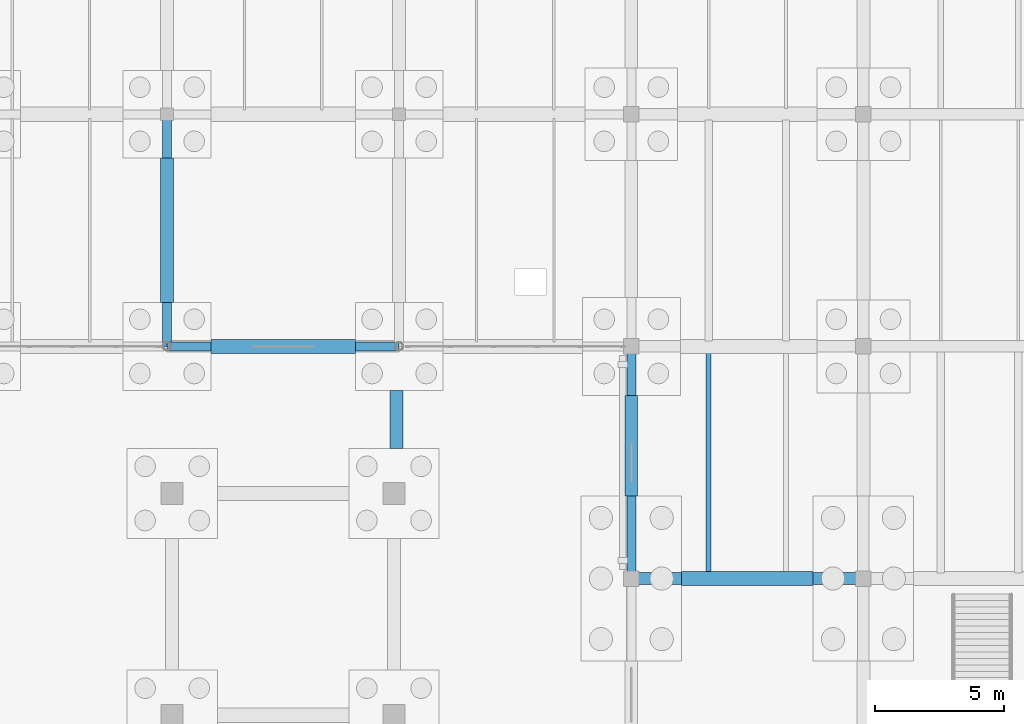
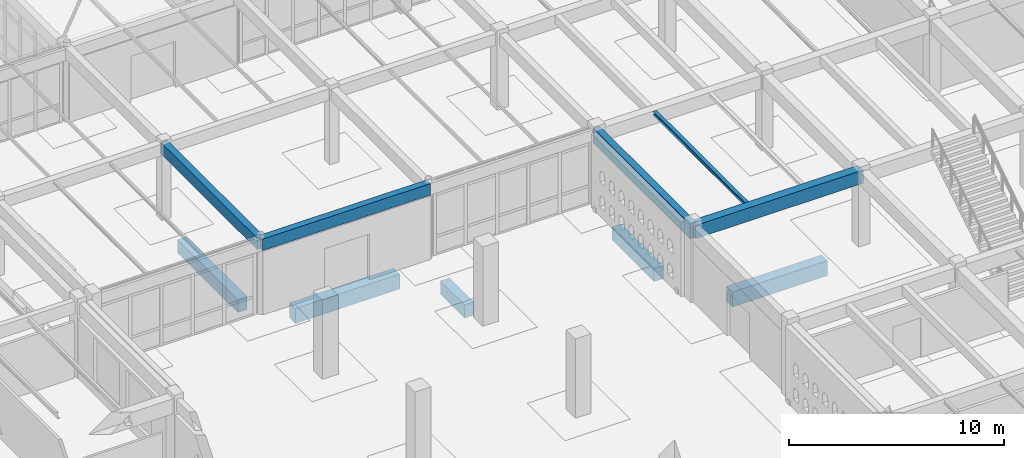
# One storey, part 124 of 186: 10 beams.
"""IFC4 building model written with IfcOpenShell, lengths in metres."""

from ifc_helpers import new_model, si_unit, direction, frame, origin, origin_2d, place, context, subcontext, project, spatial, rectangle, i_section, extrude, material, material_profile, profile_set, type_object, element, save


model = new_model("IFC4")

# Units and contexts
model_context = context("Model", 3, precision=1e-05, world=origin(), true_north=direction((0.0, 1.0)))
body_context = subcontext(model_context, "Body", "Model", "MODEL_VIEW")
ifc_project = project(units=[si_unit("LENGTHUNIT", "METRE"), si_unit("AREAUNIT", "SQUARE_METRE"), si_unit("VOLUMEUNIT", "CUBIC_METRE"), si_unit("PLANEANGLEUNIT", "RADIAN"), si_unit("MASSUNIT", "GRAM", prefix="KILO")], contexts=[model_context])

# Site, building, storey
site_placement = place(None, origin())
site = spatial("IfcSite", under=ifc_project, at=site_placement, CompositionType="ELEMENT")
building_placement = place(site_placement, origin())
building = spatial("IfcBuilding", under=site, at=building_placement, Name="Ornek Quay Market", CompositionType="ELEMENT")
storey_placement = place(building_placement, origin())
storey = spatial("IfcBuildingStorey", under=building, at=storey_placement, Name="L00", CompositionType="ELEMENT", Elevation=0.0)

# Beams
ifc_material_1 = material(Name="Concrete C35/45", Category="concrete")
ifc_material_profile_1 = material_profile(ifc_material_1, rectangle(XDim=0.35009765625, YDim=0.64990234375, at=origin_2d()), Name="RC 350x650", Category="concrete")
ifc_profile_set_1 = profile_set([ifc_material_profile_1], Name="Concrete C35/45")
beam_type_1 = type_object("IfcBeamType", Name="BM-CONC-350x650", PredefinedType="BEAM", material=ifc_profile_set_1)
for number, where, z_axis, x_axis, name in (
    (1, (135.0, 92.0, 3.945068359375), (1.0, 0.0, 0.0), (0.0, 1.0, 0.0), "Primary beam B-CN1-074"),
    (2, (135.0, 92.0, 3.945068359375), (0.0, 1.0, 0.0), (-1.0, 0.0, 0.0), "Primary beam B-CN1-081"),
):
    element("IfcBeam", number, at=place(storey_placement, frame(where, z_axis=z_axis, x_axis=x_axis)), inside=storey, type_object=beam_type_1, Name=name, PredefinedType="BEAM", context=body_context, shape_type="SweptSolid", body=[
        extrude(rectangle(XDim=0.35009765625, YDim=0.64990234375, at=origin_2d()), origin(), (0.0, 0.0, 1.0), 9.0),
    ])
ifc_material_2 = material(Name="Concrete C40/50", Category="concrete")
ifc_material_profile_2 = material_profile(ifc_material_2, rectangle(XDim=0.449951171875, YDim=0.75, at=origin_2d()), Name="RC 450x750", Category="concrete")
ifc_profile_set_2 = profile_set([ifc_material_profile_2], Name="Concrete C40/50")
beam_type_2 = type_object("IfcBeamType", Name="BM-FC-450x750", PredefinedType="BEAM", material=ifc_profile_set_2)
beam_1_placement = place(storey_placement, frame((153.0, 83.0, 3.85498046875), z_axis=(1.0, 0.0, 0.0), x_axis=(0.0, 1.0, 0.0)))
element("IfcBeam", 3, at=beam_1_placement, inside=storey, type_object=beam_type_2, Name="Primary beam B-FC1-018", PredefinedType="BEAM", context=body_context, shape_type="SweptSolid", body=[
    extrude(rectangle(XDim=0.449951171875, YDim=0.75, at=origin_2d()), origin(), (0.0, 0.0, 1.0), 9.0),
])
ifc_material_profile_3 = material_profile(ifc_material_1, rectangle(XDim=0.5, YDim=0.75, at=origin_2d()), Name="RC 500x750", Category="concrete")
ifc_profile_set_3 = profile_set([ifc_material_profile_3], Name="Concrete C35/45")
beam_type_3 = type_object("IfcBeamType", Name="BM-GB-500x750", PredefinedType="BEAM", material=ifc_profile_set_3)
beam_2_placement = place(storey_placement, frame((135.0, 93.699951171875, -0.574951171875), z_axis=(0.0, 1.0, 0.0), x_axis=(-1.0, 0.0, 0.0)))
element("IfcBeam", 4, at=beam_2_placement, inside=storey, type_object=beam_type_3, Name="Ground tie beam GB-368", PredefinedType="BEAM", context=body_context, shape_type="SweptSolid", body=[
    extrude(rectangle(XDim=0.5, YDim=0.75, at=origin_2d()), origin(), (0.0, 0.0, 1.0), 5.60009765625),
])
beam_3_placement = place(storey_placement, frame((143.89990234375, 88.050048828125, -0.574951171875), z_axis=(0.0, 1.0, 0.0), x_axis=(-1.0, 0.0, 0.0)))
element("IfcBeam", 5, at=beam_3_placement, inside=storey, type_object=beam_type_3, Name="Ground tie beam GB-383", PredefinedType="BEAM", context=body_context, shape_type="SweptSolid", body=[
    extrude(rectangle(XDim=0.5, YDim=0.75, at=origin_2d()), origin(), (0.0, 0.0, 1.0), 2.25),
])
beam_4_placement = place(storey_placement, frame((153.0, 86.199951171875, -0.574951171875), z_axis=(0.0, 1.0, 0.0), x_axis=(-1.0, 0.0, 0.0)))
element("IfcBeam", 6, at=beam_4_placement, inside=storey, type_object=beam_type_3, Name="Ground tie beam GB-396", PredefinedType="BEAM", context=body_context, shape_type="SweptSolid", body=[
    extrude(rectangle(XDim=0.5, YDim=0.75, at=origin_2d()), origin(), (0.0, 0.0, 1.0), 3.900146484375),
])
ifc_material_profile_4 = material_profile(ifc_material_1, rectangle(XDim=0.550048828125, YDim=0.85009765625, at=origin_2d()), Name="RC 550x850", Category="concrete")
ifc_profile_set_4 = profile_set([ifc_material_profile_4], Name="Concrete C35/45")
beam_type_4 = type_object("IfcBeamType", Name="BM-GB-550x850", PredefinedType="BEAM", material=ifc_profile_set_4)
beam_5_placement = place(storey_placement, frame((154.949951171875, 83.0, -0.625), z_axis=(1.0, 0.0, 0.0), x_axis=(0.0, 1.0, 0.0)))
element("IfcBeam", 7, at=beam_5_placement, inside=storey, type_object=beam_type_4, Name="Ground tie beam GB-338", PredefinedType="BEAM", context=body_context, shape_type="SweptSolid", body=[
    extrude(rectangle(XDim=0.550048828125, YDim=0.85009765625, at=origin_2d()), origin(), (0.0, 0.0, 1.0), 5.10009765625),
])
beam_6_placement = place(storey_placement, frame((136.699951171875, 92.0, -0.625), z_axis=(1.0, 0.0, 0.0), x_axis=(0.0, 1.0, 0.0)))
element("IfcBeam", 8, at=beam_6_placement, inside=storey, type_object=beam_type_4, Name="Ground tie beam GB-343", PredefinedType="BEAM", context=body_context, shape_type="SweptSolid", body=[
    extrude(rectangle(XDim=0.550048828125, YDim=0.85009765625, at=origin_2d()), origin(), (0.0, 0.0, 1.0), 5.60009765625),
])
ifc_material_profile_5 = material_profile(ifc_material_2, rectangle(XDim=0.35009765625, YDim=0.85009765625, at=origin_2d()), Name="RC 350x850", Category="concrete")
ifc_profile_set_5 = profile_set([ifc_material_profile_5], Name="Concrete C40/50")
beam_type_5 = type_object("IfcBeamType", Name="BM-SPN-350x850", PredefinedType="SPANDREL", material=ifc_profile_set_5)
beam_7_placement = place(storey_placement, frame((153.0, 83.0, 3.804931640625), z_axis=(0.0, 1.0, 0.0), x_axis=(-1.0, 0.0, 0.0)))
element("IfcBeam", 9, at=beam_7_placement, inside=storey, type_object=beam_type_5, Name="Primary beam B-SP1-095", PredefinedType="SPANDREL", context=body_context, shape_type="SweptSolid", body=[
    extrude(rectangle(XDim=0.35009765625, YDim=0.85009765625, at=origin_2d()), origin(), (0.0, 0.0, 1.0), 9.0),
])
ifc_material_3 = material(Name="Steel S355", Category="steel")
ifc_material_profile_6 = material_profile(ifc_material_3, i_section(OverallWidth=0.199951171875, OverallDepth=0.18994140625, WebThickness=0.006591796875, FlangeThickness=0.010009765625, FilletRadius=0.01806640625, at=origin_2d()), Name="HEA 200", Category="steel")
ifc_profile_set_6 = profile_set([ifc_material_profile_6], Name="Steel S355")
beam_type_6 = type_object("IfcBeamType", Name="BM-STL-HEA200", PredefinedType="BEAM", material=ifc_profile_set_6)
beam_8_placement = place(storey_placement, frame((156.0, 83.217041015625, 4.135009765625), z_axis=(0.0, 1.0, 0.0), x_axis=(-1.0, 0.0, 0.0)))
element("IfcBeam", 10, at=beam_8_placement, inside=storey, type_object=beam_type_6, Name="Secondary joist SB-12-015", PredefinedType="BEAM", context=body_context, shape_type="SweptSolid", body=[
    extrude(i_section(OverallWidth=0.199951171875, OverallDepth=0.18994140625, WebThickness=0.006591796875, FlangeThickness=0.010009765625, FilletRadius=0.01806640625, at=origin_2d()), origin(), (0.0, 0.0, 1.0), 8.56591796875),
])

save(model, "model.ifc")
